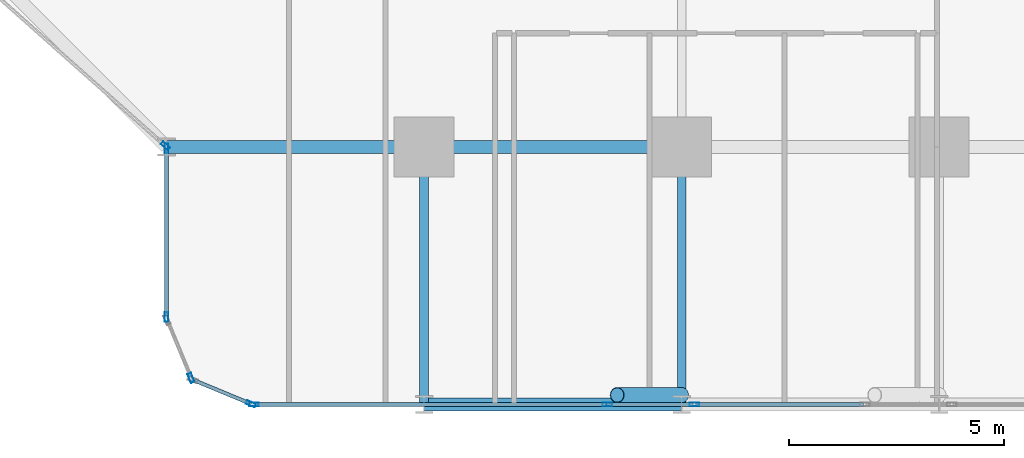
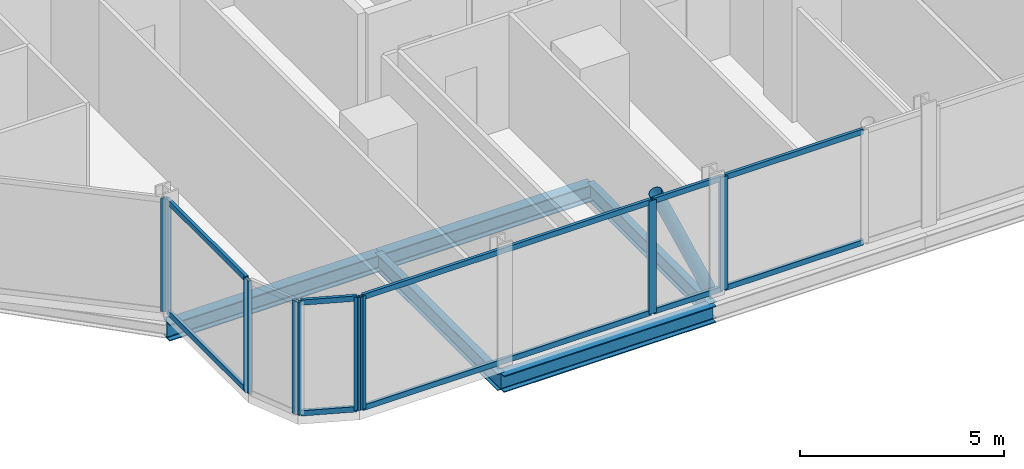
# One storey, part 3 of 33: 19 members, 5 beams, 7 elements without a shape of their own.
"""IFC4 building model written with IfcOpenShell, lengths in metres."""

from ifc_helpers import new_model, si_unit, direction, frame, origin, origin_2d, place, context, subcontext, project, spatial, hollow_rectangle, hollow_circle, i_section, extrude, material, layer, layer_set, material_profile, profile_set, type_object, element, aggregate, save


model = new_model("IFC4")

# Units and contexts
model_context = context("Model", 3, precision=1e-05, world=origin(), true_north=direction((0.0, 1.0)))
body_context = subcontext(model_context, "Body", "Model", "MODEL_VIEW")
ifc_project = project(units=[si_unit("LENGTHUNIT", "METRE"), si_unit("AREAUNIT", "SQUARE_METRE"), si_unit("VOLUMEUNIT", "CUBIC_METRE"), si_unit("PLANEANGLEUNIT", "RADIAN"), si_unit("MASSUNIT", "GRAM", prefix="KILO")], contexts=[model_context])

# Site, building, storey
site_placement = place(None, origin())
site = spatial("IfcSite", under=ifc_project, at=site_placement, CompositionType="ELEMENT")
building_placement = place(site_placement, origin())
building = spatial("IfcBuilding", under=site, at=building_placement, Name="Keshet Zoharim Tower", CompositionType="ELEMENT")
storey_placement = place(building_placement, frame((0.0, 0.0, 27.699951171875)))
storey = spatial("IfcBuildingStorey", under=building, at=storey_placement, Name="L05", CompositionType="ELEMENT", Elevation=27.699951171875)

# Beams
ifc_material_1 = material(Name="Steel S355", Category="steel")
ifc_material_profile_1 = material_profile(ifc_material_1, i_section(OverallWidth=0.199951171875, OverallDepth=0.5, WebThickness=0.01025390625, FlangeThickness=0.01611328125, FilletRadius=0.02099609375, at=origin_2d()), Name="IPE500")
ifc_profile_set_1 = profile_set([ifc_material_profile_1], Name="Steel S355")
beam_type_1 = type_object("IfcBeamType", Name="BM-PRI-IP500", PredefinedType="BEAM", material=ifc_profile_set_1)
for number, where, z_axis, x_axis, name in (
    (1, (27.0, 0.699951171875, -0.56494140625), (0.0, 1.0, 0.0), (-1.0, 0.0, 0.0), "L05 Primary Girder Y-004"),
    (2, (33.0, 0.699951171875, -0.56494140625), (0.0, 1.0, 0.0), (-1.0, 0.0, 0.0), "L05 Primary Girder Y-005"),
):
    element("IfcBeam", number, at=place(storey_placement, frame(where, z_axis=z_axis, x_axis=x_axis)), inside=storey, type_object=beam_type_1, Name=name, PredefinedType="BEAM", context=body_context, shape_type="SweptSolid", body=[
        extrude(i_section(OverallWidth=0.199951171875, OverallDepth=0.5, WebThickness=0.01025390625, FlangeThickness=0.01611328125, FilletRadius=0.02099609375, at=origin_2d()), origin(), (0.0, 0.0, 1.0), 6.0),
    ])
ifc_material_profile_2 = material_profile(ifc_material_1, i_section(OverallWidth=0.300048828125, OverallDepth=0.5, WebThickness=0.014404296875, FlangeThickness=0.028076171875, FilletRadius=0.027099609375, at=origin_2d()), Name="HEB500")
ifc_profile_set_2 = profile_set([ifc_material_profile_2], Name="Steel S355")
beam_type_2 = type_object("IfcBeamType", Name="BM-WEB-HB500", PredefinedType="BEAM", material=ifc_profile_set_2)
for number, where, z_axis, x_axis, name in (
    (3, (27.0, 0.699951171875, -0.56494140625), (1.0, 0.0, 0.0), (0.0, 1.0, 0.0), "L05 Primary Girder X-001"),
    (4, (21.0, 6.699951171875, -0.56494140625), (1.0, 0.0, 0.0), (0.0, 1.0, 0.0), "L05 Primary Girder X-006"),
    (5, (27.0, 6.699951171875, -0.56494140625), (1.0, 0.0, 0.0), (0.0, 1.0, 0.0), "L05 Primary Girder X-007"),
):
    element("IfcBeam", number, at=place(storey_placement, frame(where, z_axis=z_axis, x_axis=x_axis)), inside=storey, type_object=beam_type_2, Name=name, PredefinedType="BEAM", context=body_context, shape_type="SweptSolid", body=[
        extrude(i_section(OverallWidth=0.300048828125, OverallDepth=0.5, WebThickness=0.014404296875, FlangeThickness=0.028076171875, FilletRadius=0.027099609375, at=origin_2d()), origin(), (0.0, 0.0, 1.0), 6.0),
    ])

# Curtain wall, member
ifc_material_2 = material(Name="Aluminium 6063-T6", Category="aluminium")
ifc_layer = layer(ifc_material_2, 0.179931640625)
ifc_layer_set = layer_set([ifc_layer], Name="Aluminium 6063-T6")
curtain_wall_type = type_object("IfcCurtainWallType", Name="CW-SYS-01", PredefinedType="NOTDEFINED", material=ifc_layer_set)
curtain_wall_1_placement = place(storey_placement, origin())
curtain_wall_1 = element("IfcCurtainWall", 6, at=curtain_wall_1_placement, inside=storey, type_object=curtain_wall_type, Name="L05 Unitised Curtain Wall 01", PredefinedType="NOTDEFINED")
ifc_material_profile_3 = material_profile(ifc_material_2, hollow_rectangle(XDim=0.090087890625, YDim=0.219970703125, WallThickness=0.0048828125, at=origin_2d()), Name="MUL-90x220")
ifc_profile_set_3 = profile_set([ifc_material_profile_3], Name="Aluminium 6063-T6")
member_type_1 = type_object("IfcMemberType", Name="CWM-M22", PredefinedType="MULLION", material=ifc_profile_set_3)
member_1_placement = place(storey_placement, frame((20.973876953125, 6.72314453125, 0.0), z_axis=(0.0, 0.0, 1.0), x_axis=(-0.664363838836, -0.747409318679, 0.0)))
member_1 = element("IfcMember", 7, at=member_1_placement, type_object=member_type_1, Name="CW-01 mullion 1", PredefinedType="MULLION", context=body_context, shape_type="SweptSolid", body=[
    extrude(hollow_rectangle(XDim=0.090087890625, YDim=0.219970703125, WallThickness=0.0048828125, at=origin_2d()), origin(), (0.0, 0.0, 1.0), 3.385009765625),
])
aggregate(curtain_wall_1, [member_1])

curtain_wall_2_placement = place(storey_placement, origin())
curtain_wall_2 = element("IfcCurtainWall", 8, at=curtain_wall_2_placement, inside=storey, type_object=curtain_wall_type, Name="L05 Unitised Curtain Wall 26 Part 3", PredefinedType="NOTDEFINED")
member_2_placement = place(storey_placement, frame((33.297607421875, 0.699951171875, 0.0), z_axis=(0.0, 0.0, 1.0), x_axis=(0.0, -1.0, 0.0)))
member_2 = element("IfcMember", 9, at=member_2_placement, type_object=member_type_1, Name="CW-01 mullion 2", PredefinedType="MULLION", context=body_context, shape_type="SweptSolid", body=[
    extrude(hollow_rectangle(XDim=0.090087890625, YDim=0.219970703125, WallThickness=0.0048828125, at=origin_2d()), origin(), (0.0, 0.0, 1.0), 3.385009765625),
])

curtain_wall_3_placement = place(storey_placement, origin())
curtain_wall_3 = element("IfcCurtainWall", 10, at=curtain_wall_3_placement, inside=storey, type_object=curtain_wall_type, Name="L05 Unitised Curtain Wall 26 Part 4", PredefinedType="NOTDEFINED")
member_3_placement = place(storey_placement, frame((31.2724609375, 0.699951171875, 0.0), z_axis=(0.0, 0.0, 1.0), x_axis=(0.0, -1.0, 0.0)))
member_3 = element("IfcMember", 11, at=member_3_placement, type_object=member_type_1, Name="CW-01 mullion 2", PredefinedType="MULLION", context=body_context, shape_type="SweptSolid", body=[
    extrude(hollow_rectangle(XDim=0.090087890625, YDim=0.219970703125, WallThickness=0.0048828125, at=origin_2d()), origin(), (0.0, 0.0, 1.0), 3.385009765625),
])

curtain_wall_4_placement = place(storey_placement, origin())
curtain_wall_4 = element("IfcCurtainWall", 12, at=curtain_wall_4_placement, inside=storey, type_object=curtain_wall_type, Name="L05 Unitised Curtain Wall 26 Part 5", PredefinedType="NOTDEFINED")
member_4_placement = place(storey_placement, frame((23.034912109375, 0.699951171875, 0.0), z_axis=(0.0, 0.0, 1.0), x_axis=(0.0, -1.0, 0.0)))
member_4 = element("IfcMember", 13, at=member_4_placement, type_object=member_type_1, Name="CW-01 mullion 2", PredefinedType="MULLION", context=body_context, shape_type="SweptSolid", body=[
    extrude(hollow_rectangle(XDim=0.090087890625, YDim=0.219970703125, WallThickness=0.0048828125, at=origin_2d()), origin(), (0.0, 0.0, 1.0), 3.385009765625),
])

curtain_wall_5_placement = place(storey_placement, origin())
curtain_wall_5 = element("IfcCurtainWall", 14, at=curtain_wall_5_placement, inside=storey, type_object=curtain_wall_type, Name="L05 Unitised Curtain Wall 27", PredefinedType="NOTDEFINED")
member_5_placement = place(storey_placement, frame((22.9677734375, 0.71337890625, 0.0), z_axis=(0.0, 0.0, 1.0), x_axis=(-0.382851849847, -0.92380975372, 0.0)))
member_5 = element("IfcMember", 15, at=member_5_placement, type_object=member_type_1, Name="CW-01 mullion 1", PredefinedType="MULLION", context=body_context, shape_type="SweptSolid", body=[
    extrude(hollow_rectangle(XDim=0.090087890625, YDim=0.219970703125, WallThickness=0.0048828125, at=origin_2d()), origin(), (0.0, 0.0, 1.0), 3.385009765625),
])

curtain_wall_6_placement = place(storey_placement, origin())
curtain_wall_6 = element("IfcCurtainWall", 16, at=curtain_wall_6_placement, inside=storey, type_object=curtain_wall_type, Name="L05 Unitised Curtain Wall 28", PredefinedType="NOTDEFINED")
member_6_placement = place(storey_placement, frame((21.572509765625, 1.318359375, 0.0), z_axis=(0.0, 0.0, 1.0), x_axis=(-0.92380975372, -0.382851849847, 0.0)))
member_6 = element("IfcMember", 17, at=member_6_placement, type_object=member_type_1, Name="CW-01 mullion 1", PredefinedType="MULLION", context=body_context, shape_type="SweptSolid", body=[
    extrude(hollow_rectangle(XDim=0.090087890625, YDim=0.219970703125, WallThickness=0.0048828125, at=origin_2d()), origin(), (0.0, 0.0, 1.0), 3.385009765625),
])
aggregate(curtain_wall_6, [member_6])

# Curtain wall, members
curtain_wall_7_placement = place(storey_placement, origin())
curtain_wall_7 = element("IfcCurtainWall", 18, at=curtain_wall_7_placement, inside=storey, type_object=curtain_wall_type, Name="L05 Unitised Curtain Wall 29", PredefinedType="NOTDEFINED")
member_7_placement = place(storey_placement, frame((21.0, 2.735107421875, 0.0), z_axis=(0.0, 0.0, 1.0), x_axis=(-1.0, 0.0, 0.0)))
member_7 = element("IfcMember", 19, at=member_7_placement, type_object=member_type_1, Name="CW-01 mullion 1", PredefinedType="MULLION", context=body_context, shape_type="SweptSolid", body=[
    extrude(hollow_rectangle(XDim=0.090087890625, YDim=0.219970703125, WallThickness=0.0048828125, at=origin_2d()), origin(), (0.0, 0.0, 1.0), 3.385009765625),
])
member_8_placement = place(storey_placement, frame((21.0, 6.6650390625, 0.0), z_axis=(0.0, 0.0, 1.0), x_axis=(-1.0, 0.0, 0.0)))
member_8 = element("IfcMember", 20, at=member_8_placement, type_object=member_type_1, Name="CW-01 mullion 2", PredefinedType="MULLION", context=body_context, shape_type="SweptSolid", body=[
    extrude(hollow_rectangle(XDim=0.090087890625, YDim=0.219970703125, WallThickness=0.0048828125, at=origin_2d()), origin(), (0.0, 0.0, 1.0), 3.385009765625),
])

# Member
ifc_material_profile_4 = material_profile(ifc_material_2, hollow_rectangle(XDim=0.0849609375, YDim=0.159912109375, WallThickness=0.00439453125, at=origin_2d()), Name="TRN-85x160")
ifc_profile_set_4 = profile_set([ifc_material_profile_4], Name="Aluminium 6063-T6")
member_type_2 = type_object("IfcMemberType", Name="CWT-T16", PredefinedType="USERDEFINED", material=ifc_profile_set_4)
member_9_placement = place(storey_placement, frame((37.2373046875, 0.699951171875, 0.03515625), z_axis=(-1.0, 0.0, 0.0), x_axis=(0.0, -1.0, 0.0)))
member_9 = element("IfcMember", 21, at=member_9_placement, type_object=member_type_2, Name="CW-01 transom 1.1", ObjectType="TRANSOM", PredefinedType="USERDEFINED", context=body_context, shape_type="SweptSolid", body=[
    extrude(hollow_rectangle(XDim=0.0849609375, YDim=0.159912109375, WallThickness=0.00439453125, at=origin_2d()), origin(), (0.0, 0.0, 1.0), 3.90478515625),
])

member_10_placement = place(storey_placement, frame((37.2373046875, 0.699951171875, 3.35009765625), z_axis=(-1.0, 0.0, 0.0), x_axis=(0.0, -1.0, 0.0)))
member_10 = element("IfcMember", 22, at=member_10_placement, type_object=member_type_2, Name="CW-01 transom 1.2", ObjectType="TRANSOM", PredefinedType="USERDEFINED", context=body_context, shape_type="SweptSolid", body=[
    extrude(hollow_rectangle(XDim=0.0849609375, YDim=0.159912109375, WallThickness=0.00439453125, at=origin_2d()), origin(), (0.0, 0.0, 1.0), 3.90478515625),
])

aggregate(curtain_wall_2, [member_2, member_9, member_10])

member_11_placement = place(storey_placement, frame((33.2626953125, 0.699951171875, 0.03515625), z_axis=(-1.0, 0.0, 0.0), x_axis=(0.0, -1.0, 0.0)))
member_11 = element("IfcMember", 23, at=member_11_placement, type_object=member_type_2, Name="CW-01 transom 1.1", ObjectType="TRANSOM", PredefinedType="USERDEFINED", context=body_context, shape_type="SweptSolid", body=[
    extrude(hollow_rectangle(XDim=0.0849609375, YDim=0.159912109375, WallThickness=0.00439453125, at=origin_2d()), origin(), (0.0, 0.0, 1.0), 1.955322265625),
])

member_12_placement = place(storey_placement, frame((33.2626953125, 0.699951171875, 3.35009765625), z_axis=(-1.0, 0.0, 0.0), x_axis=(0.0, -1.0, 0.0)))
member_12 = element("IfcMember", 24, at=member_12_placement, type_object=member_type_2, Name="CW-01 transom 1.2", ObjectType="TRANSOM", PredefinedType="USERDEFINED", context=body_context, shape_type="SweptSolid", body=[
    extrude(hollow_rectangle(XDim=0.0849609375, YDim=0.159912109375, WallThickness=0.00439453125, at=origin_2d()), origin(), (0.0, 0.0, 1.0), 1.955322265625),
])

aggregate(curtain_wall_3, [member_3, member_11, member_12])

member_13_placement = place(storey_placement, frame((31.2373046875, 0.699951171875, 0.03515625), z_axis=(-1.0, 0.0, 0.0), x_axis=(0.0, -1.0, 0.0)))
member_13 = element("IfcMember", 25, at=member_13_placement, type_object=member_type_2, Name="CW-01 transom 1.1", ObjectType="TRANSOM", PredefinedType="USERDEFINED", context=body_context, shape_type="SweptSolid", body=[
    extrude(hollow_rectangle(XDim=0.0849609375, YDim=0.159912109375, WallThickness=0.00439453125, at=origin_2d()), origin(), (0.0, 0.0, 1.0), 8.167236328125),
])

member_14_placement = place(storey_placement, frame((31.2373046875, 0.699951171875, 3.35009765625), z_axis=(-1.0, 0.0, 0.0), x_axis=(0.0, -1.0, 0.0)))
member_14 = element("IfcMember", 26, at=member_14_placement, type_object=member_type_2, Name="CW-01 transom 1.2", ObjectType="TRANSOM", PredefinedType="USERDEFINED", context=body_context, shape_type="SweptSolid", body=[
    extrude(hollow_rectangle(XDim=0.0849609375, YDim=0.159912109375, WallThickness=0.00439453125, at=origin_2d()), origin(), (0.0, 0.0, 1.0), 8.167236328125),
])

aggregate(curtain_wall_4, [member_4, member_13, member_14])

member_15_placement = place(storey_placement, frame((22.935302734375, 0.726806640625, 0.03515625), z_axis=(-0.92379209995, 0.382894445076, 0.0), x_axis=(-0.382894445076, -0.92379209995, 0.0)))
member_15 = element("IfcMember", 27, at=member_15_placement, type_object=member_type_2, Name="CW-01 transom 1.1", ObjectType="TRANSOM", PredefinedType="USERDEFINED", context=body_context, shape_type="SweptSolid", body=[
    extrude(hollow_rectangle(XDim=0.0849609375, YDim=0.159912109375, WallThickness=0.00439453125, at=origin_2d()), origin(), (0.0, 0.0, 1.0), 1.390625),
])

member_16_placement = place(storey_placement, frame((22.935302734375, 0.726806640625, 3.35009765625), z_axis=(-0.92379209995, 0.382894445076, 0.0), x_axis=(-0.382894445076, -0.92379209995, 0.0)))
member_16 = element("IfcMember", 28, at=member_16_placement, type_object=member_type_2, Name="CW-01 transom 1.2", ObjectType="TRANSOM", PredefinedType="USERDEFINED", context=body_context, shape_type="SweptSolid", body=[
    extrude(hollow_rectangle(XDim=0.0849609375, YDim=0.159912109375, WallThickness=0.00439453125, at=origin_2d()), origin(), (0.0, 0.0, 1.0), 1.390625),
])

aggregate(curtain_wall_5, [member_5, member_15, member_16])

member_17_placement = place(storey_placement, frame((21.0, 2.77001953125, 0.03515625), z_axis=(0.0, 1.0, 0.0), x_axis=(-1.0, 0.0, 0.0)))
member_17 = element("IfcMember", 29, at=member_17_placement, type_object=member_type_2, Name="CW-01 transom 1.1", ObjectType="TRANSOM", PredefinedType="USERDEFINED", context=body_context, shape_type="SweptSolid", body=[
    extrude(hollow_rectangle(XDim=0.0849609375, YDim=0.159912109375, WallThickness=0.00439453125, at=origin_2d()), origin(), (0.0, 0.0, 1.0), 3.85986328125),
])

member_18_placement = place(storey_placement, frame((21.0, 2.77001953125, 3.35009765625), z_axis=(0.0, 1.0, 0.0), x_axis=(-1.0, 0.0, 0.0)))
member_18 = element("IfcMember", 30, at=member_18_placement, type_object=member_type_2, Name="CW-01 transom 1.2", ObjectType="TRANSOM", PredefinedType="USERDEFINED", context=body_context, shape_type="SweptSolid", body=[
    extrude(hollow_rectangle(XDim=0.0849609375, YDim=0.159912109375, WallThickness=0.00439453125, at=origin_2d()), origin(), (0.0, 0.0, 1.0), 3.85986328125),
])

aggregate(curtain_wall_7, [member_7, member_8, member_17, member_18])

ifc_material_profile_5 = material_profile(ifc_material_1, hollow_circle(Radius=0.177734375, WallThickness=0.012451171875, at=origin_2d()), Name="CHS355x12.5")
ifc_profile_set_5 = profile_set([ifc_material_profile_5], Name="Steel S355")
member_type_3 = type_object("IfcMemberType", Name="MB-BR-C355", PredefinedType="BRACE", material=ifc_profile_set_5)
member_19_placement = place(storey_placement, frame((33.0, 0.919921875, 0.0), z_axis=(-0.405134846829, 0.0, 0.91425694194), x_axis=(0.0, -1.0, 0.0)))
element("IfcMember", 31, at=member_19_placement, inside=storey, type_object=member_type_3, Name="L05 Perimeter Tube Brace 02", PredefinedType="BRACE", context=body_context, shape_type="SweptSolid", body=[
    extrude(hollow_circle(Radius=0.177734375, WallThickness=0.012451171875, at=origin_2d()), origin(), (0.0, 0.0, 1.0), 3.702392578125),
])

save(model, "model.ifc")
